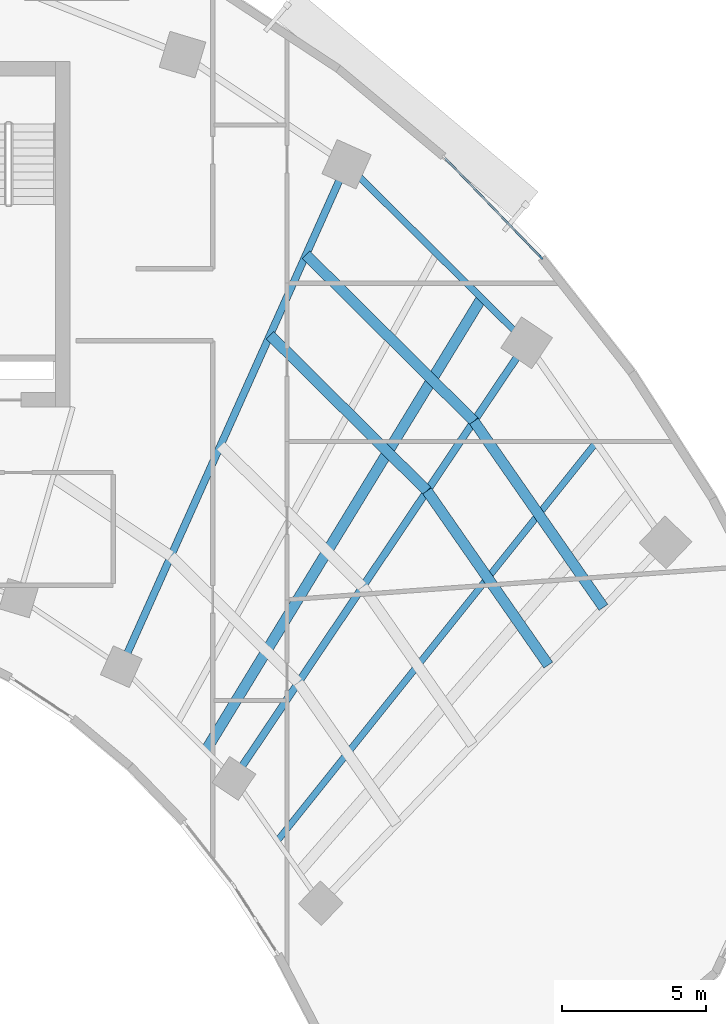
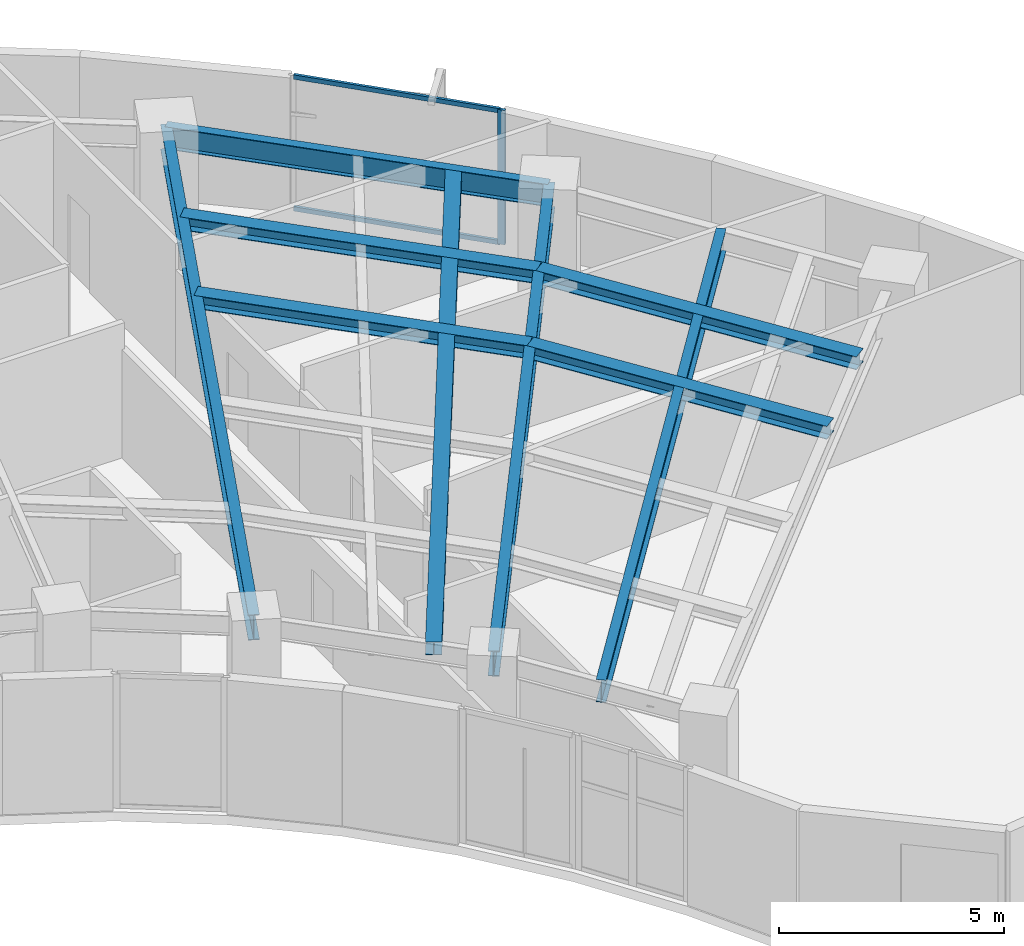
# One storey, part 4 of 14: 9 beams, 3 members, 1 element without a shape of its own.
"""IFC4 building model written with IfcOpenShell, lengths in metres."""

import ifcopenshell
import ifcopenshell.guid

model = None  # the IFC model being written
_history = None  # IfcOwnerHistory: only IFC2X3 demands one
_inside = {}  # id of a spatial element -> (the spatial element, [elements in it])
_under = {}  # id of a project, library or spatial element -> (it, [spatial elements below it])
_declared = {}  # id of a project -> (the project, [libraries it declares])
_typed = {}  # id of a type object -> (the type object, [elements of that type])
_made_of = {}  # id of a material, layer set ... -> (it, [elements and type objects made of it])


def new_model(schema):
    """Start an empty IFC model of exactly this schema.

    Asked for "IFC4X3", IfcOpenShell would pick the latest addendum, in which some entities
    have other attributes; the version numbers below select the first issue.
    IFC2X3 requires an IfcOwnerHistory on every rooted entity: one is made here for all.
    """
    global model, _history
    if schema == "IFC4X3":
        model = ifcopenshell.file(schema_version=(4, 3, 0, 0))
    else:
        model = ifcopenshell.file(schema=schema)
    _inside.clear()
    _under.clear()
    _declared.clear()
    _typed.clear()
    _made_of.clear()
    _history = None
    if model.schema == "IFC2X3":
        org = make("IfcOrganization", Name="unknown")
        user = make(
            "IfcPersonAndOrganization",
            ThePerson=make("IfcPerson", FamilyName="unknown"),
            TheOrganization=org,
        )
        app = make(
            "IfcApplication",
            ApplicationDeveloper=org,
            Version="unknown",
            ApplicationFullName="unknown",
            ApplicationIdentifier="unknown",
        )
        _history = make(
            "IfcOwnerHistory",
            OwningUser=user,
            OwningApplication=app,
            ChangeAction="ADDED",
            CreationDate=0,
        )
    return model


def make(cls, **values):
    """One entity of the class cls with the attributes given. An attribute that is None is left unset."""
    return model.create_entity(
        cls, **{name: value for name, value in values.items() if value is not None}
    )


def rooted(cls, **values):
    """An entity with a GlobalId (a new one), such as an element, a storey or a relation."""
    return make(cls, GlobalId=ifcopenshell.guid.new(), OwnerHistory=_history, **values)


def si_unit(unit_type, name, prefix=None):
    """IfcSIUnit, for example si_unit("LENGTHUNIT", "METRE", prefix="MILLI")."""
    return make("IfcSIUnit", UnitType=unit_type, Prefix=prefix, Name=name)


def assignment(units):
    """IfcUnitAssignment: the units of a project."""
    return None if units is None else make("IfcUnitAssignment", Units=units)


def point(xyz):
    """IfcCartesianPoint."""
    return None if xyz is None else make("IfcCartesianPoint", Coordinates=xyz)


def direction(xyz):
    """IfcDirection."""
    return None if xyz is None else make("IfcDirection", DirectionRatios=xyz)


def frame(location, z_axis=None, x_axis=None):
    """IfcAxis2Placement3D, a coordinate frame: its origin and axes. An axis left out is left unset."""
    return make(
        "IfcAxis2Placement3D",
        Location=point(location),
        Axis=direction(z_axis),
        RefDirection=direction(x_axis),
    )


def frame_2d(location, x_axis=None):
    """IfcAxis2Placement2D, a coordinate frame in the plane: its origin and x axis."""
    return make(
        "IfcAxis2Placement2D", Location=point(location), RefDirection=direction(x_axis)
    )


def origin():
    """The frame at (0, 0, 0) with its axes left unset."""
    return frame((0.0, 0.0, 0.0))


def origin_2d():
    """The frame at (0, 0) in the plane with its x axis left unset."""
    return frame_2d((0.0, 0.0))


def place(relative_to, where):
    """IfcLocalPlacement: puts the frame where relative to a parent placement (None: the world)."""
    return make(
        "IfcLocalPlacement", PlacementRelTo=relative_to, RelativePlacement=where
    )


def context(
    kind, dimensions, precision=None, world=None, true_north=None, identifier=None
):
    """IfcGeometricRepresentationContext, for example the 3D "Model" context."""
    return make(
        "IfcGeometricRepresentationContext",
        ContextIdentifier=identifier,
        ContextType=kind,
        CoordinateSpaceDimension=dimensions,
        Precision=precision,
        WorldCoordinateSystem=world,
        TrueNorth=true_north,
    )


def subcontext(parent, identifier, kind, view, scale=None):
    """IfcGeometricRepresentationSubContext, for example "Body" below "Model"."""
    return make(
        "IfcGeometricRepresentationSubContext",
        ContextIdentifier=identifier,
        ContextType=kind,
        ParentContext=parent,
        TargetScale=scale,
        TargetView=view,
    )


def project(units=None, contexts=None):
    """IfcProject with its units and contexts."""
    return rooted(
        "IfcProject",
        Name="project",
        RepresentationContexts=contexts,
        UnitsInContext=assignment(units),
    )


def spatial(cls, under=None, at=None, **own):
    """A site, building, storey or space (cls), placed at a placement, below another one or the project."""
    s = rooted(cls, ObjectPlacement=at, **own)
    if under is not None:
        _under.setdefault(under.id(), (under, []))[1].append(s)
    return s


def profile(cls, at=None, kind="AREA", **sizes):
    """A parametric profile (cls). Its sizes go by their IFC names, for example OverallWidth=200.0."""
    return make(cls, ProfileType=kind, Position=at, **sizes)


def rectangle(**sizes):
    """IfcRectangleProfileDef."""
    return profile("IfcRectangleProfileDef", **sizes)


def i_section(**sizes):
    """IfcIShapeProfileDef."""
    return profile("IfcIShapeProfileDef", **sizes)


def extrude(swept, where, along, depth):
    """IfcExtrudedAreaSolid: the profile swept, set in the frame where, extruded along a direction by depth."""
    return make(
        "IfcExtrudedAreaSolid",
        SweptArea=swept,
        Position=where,
        ExtrudedDirection=direction(along),
        Depth=depth,
    )


def shape(context_of_items, identifier, shape_type, items):
    """IfcShapeRepresentation: the items that make up one representation, for example the "Body"."""
    return make(
        "IfcShapeRepresentation",
        ContextOfItems=context_of_items,
        RepresentationIdentifier=identifier,
        RepresentationType=shape_type,
        Items=items,
    )


def source(mapping_origin, context_of_items, identifier, shape_type, items):
    """IfcRepresentationMap: a shape defined once, which mapped items show again and again."""
    return make(
        "IfcRepresentationMap",
        MappingOrigin=mapping_origin,
        MappedRepresentation=shape(context_of_items, identifier, shape_type, items),
    )


def transform(
    local_origin,
    x_axis=None,
    y_axis=None,
    z_axis=None,
    scale=None,
    scale2=None,
    scale3=None,
    uniform=True,
):
    """IfcCartesianTransformationOperator3D, or its non-uniform kind. x_axis, y_axis, z_axis: its Axis1, 2, 3."""
    if uniform:
        return make(
            "IfcCartesianTransformationOperator3D",
            Axis1=direction(x_axis),
            Axis2=direction(y_axis),
            LocalOrigin=point(local_origin),
            Scale=scale,
            Axis3=direction(z_axis),
        )
    return make(
        "IfcCartesianTransformationOperator3DnonUniform",
        Axis1=direction(x_axis),
        Axis2=direction(y_axis),
        LocalOrigin=point(local_origin),
        Scale=scale,
        Axis3=direction(z_axis),
        Scale2=scale2,
        Scale3=scale3,
    )


def mapped(mapping_source, mapping_target):
    """IfcMappedItem: shows the shape of a source again, moved by a transform."""
    return make(
        "IfcMappedItem", MappingSource=mapping_source, MappingTarget=mapping_target
    )


def material(Name=None, Category=None):
    """IfcMaterial."""
    return make("IfcMaterial", Name=Name, Category=Category)


def layer(
    of_material, thickness, ventilated=None, Name=None, Category=None, Priority=None
):
    """IfcMaterialLayer: one layer of a wall or slab, of a material (None: an air gap)."""
    return make(
        "IfcMaterialLayer",
        Material=of_material,
        LayerThickness=thickness,
        IsVentilated=ventilated,
        Name=Name,
        Category=Category,
        Priority=Priority,
    )


def layer_set(layers, Name=None):
    """IfcMaterialLayerSet."""
    return make("IfcMaterialLayerSet", MaterialLayers=layers, LayerSetName=Name)


def material_profile(
    of_material, cross_section, Name=None, Category=None, Priority=None
):
    """IfcMaterialProfile: a cross section and its material."""
    return make(
        "IfcMaterialProfile",
        Name=Name,
        Material=of_material,
        Profile=cross_section,
        Priority=Priority,
        Category=Category,
    )


def profile_set(profiles, Name=None, composite=None):
    """IfcMaterialProfileSet."""
    return make(
        "IfcMaterialProfileSet",
        Name=Name,
        MaterialProfiles=profiles,
        CompositeProfile=composite,
    )


def made_of(thing, what):
    """Note that an element or type object is made of a material, layer set ...; save() writes the relation."""
    if what is not None:
        _made_of.setdefault(what.id(), (what, []))[1].append(thing)
    return thing


def type_object(cls, material=None, **own):
    """A type object (cls), such as IfcWallType, which elements share."""
    return made_of(rooted(cls, **own), material)


def element(
    cls,
    number,
    at=None,
    inside=None,
    cuts=None,
    type_object=None,
    material=None,
    context=None,
    identifier="Body",
    shape_type=None,
    held_by="IfcProductDefinitionShape",
    body=None,
    shapes=None,
    **own,
):
    """One element of the class cls, such as IfcWall. Its Tag is "e" and its number.

    at: its placement. inside: the storey or other place that contains it. cuts: it is an
    opening in that element (IfcRelVoidsElement). A single representation is given by context,
    identifier, shape_type and body (its items); several are given by shapes. held_by: the class
    of the entity that holds the representations. save() writes the other relations.
    """
    e = rooted(cls, Tag="e%d" % number, ObjectPlacement=at, **own)
    if body is not None:
        shapes = [shape(context, identifier, shape_type, body)]
    if shapes is not None:
        e.Representation = make(held_by, Representations=shapes)
    if inside is not None:
        _inside.setdefault(inside.id(), (inside, []))[1].append(e)
    if cuts is not None:
        rooted(
            "IfcRelVoidsElement", RelatingBuildingElement=cuts, RelatedOpeningElement=e
        )
    if type_object is not None:
        _typed.setdefault(type_object.id(), (type_object, []))[1].append(e)
    return made_of(e, material)


def aggregate(whole, parts):
    """IfcRelAggregates: a whole, such as a stair, and the parts it consists of."""
    return rooted("IfcRelAggregates", RelatingObject=whole, RelatedObjects=parts)


def save(model, path):
    """Write the relations noted so far, then the file.

    IfcRelAggregates (storeys below a building ...), IfcRelContainedInSpatialStructure (elements
    in a storey), IfcRelDefinesByType, IfcRelAssociatesMaterial and IfcRelDeclares: one each for
    every whole, place, type object, material and project.
    """
    for whole, parts in _under.values():
        aggregate(whole, parts)
    for where, things in _inside.values():
        rooted(
            "IfcRelContainedInSpatialStructure",
            RelatedElements=things,
            RelatingStructure=where,
        )
    for kind, things in _typed.values():
        rooted("IfcRelDefinesByType", RelatedObjects=things, RelatingType=kind)
    for what, things in _made_of.values():
        rooted("IfcRelAssociatesMaterial", RelatedObjects=things, RelatingMaterial=what)
    for by, libraries in _declared.values():
        rooted("IfcRelDeclares", RelatingContext=by, RelatedDefinitions=libraries)
    model.write(path)


model = new_model("IFC4")

# Units and contexts
model_context = context("Model", 3, precision=1e-05, world=origin(), true_north=direction((0.0, 1.0)))
body_context = subcontext(model_context, "Body", "Model", "MODEL_VIEW")
ifc_project = project(units=[si_unit("LENGTHUNIT", "METRE"), si_unit("AREAUNIT", "SQUARE_METRE"), si_unit("VOLUMEUNIT", "CUBIC_METRE"), si_unit("PLANEANGLEUNIT", "RADIAN"), si_unit("MASSUNIT", "GRAM", prefix="KILO")], contexts=[model_context])

# Site, building, storey
site_placement = place(None, origin())
site = spatial("IfcSite", under=ifc_project, at=site_placement, CompositionType="ELEMENT")
building_placement = place(site_placement, origin())
building = spatial("IfcBuilding", under=site, at=building_placement, Name="Breltana Convention Tower", CompositionType="ELEMENT")
storey_placement = place(building_placement, frame((0.0, 0.0, 103.800048828125)))
storey = spatial("IfcBuildingStorey", under=building, at=storey_placement, Name="L24", CompositionType="ELEMENT", Elevation=103.800048828125)

# Beams
ifc_material_1 = material(Name="Steel ASTM A992 Grade 50", Category="steel")
ifc_material_profile_1 = material_profile(ifc_material_1, i_section(OverallWidth=0.25390625, OverallDepth=0.68798828125, WebThickness=0.01318359375, FlangeThickness=0.02099609375, at=origin_2d()), Name="W27X102")
ifc_profile_set_1 = profile_set([ifc_material_profile_1], Name="Steel ASTM A992 Grade 50")
beam_type_1 = type_object("IfcBeamType", Name="BM-RG-W27X102", PredefinedType="USERDEFINED", material=ifc_profile_set_1)
shared_shape_1 = source(origin(), body_context, "Body", "SweptSolid", [
    extrude(i_section(OverallWidth=0.25390625, OverallDepth=0.68798828125, WebThickness=0.01318359375, FlangeThickness=0.02099609375, at=origin_2d()), origin(), (0.0, 0.0, 1.0), 19.133544921875),
])
beam_1_placement = place(storey_placement, frame((61.08203125, 51.174560546875, 3.305908203125), z_axis=(0.409144564164, 0.912469575172, 0.0), x_axis=(-0.912469575172, 0.409144564164, 0.0)))
element("IfcBeam", 1, at=beam_1_placement, inside=storey, type_object=beam_type_1, Name="L24 Radial Floor Girder R09", ObjectType="GIRDER", PredefinedType="USERDEFINED", context=body_context, shape_type="MappedRepresentation", body=[
    mapped(shared_shape_1, transform((0.0, 0.0, 0.0), scale=1.0)),
])
shared_shape_2 = source(origin(), body_context, "Body", "SweptSolid", [
    extrude(i_section(OverallWidth=0.25390625, OverallDepth=0.68798828125, WebThickness=0.01318359375, FlangeThickness=0.02099609375, at=origin_2d()), origin(), (0.0, 0.0, 1.0), 18.236328125),
])
beam_2_placement = place(storey_placement, frame((64.995849609375, 47.293701171875, 3.305908203125), z_axis=(0.557730360975, 0.830022195153, 0.0), x_axis=(-0.830022195153, 0.557730360975, 0.0)))
element("IfcBeam", 2, at=beam_2_placement, inside=storey, type_object=beam_type_1, Name="L24 Radial Floor Girder R10", ObjectType="GIRDER", PredefinedType="USERDEFINED", context=body_context, shape_type="MappedRepresentation", body=[
    mapped(shared_shape_2, transform((0.0, 0.0, 0.0), scale=1.0)),
])
ifc_material_profile_2 = material_profile(ifc_material_1, i_section(OverallWidth=0.22802734375, OverallDepth=0.60791015625, WebThickness=0.01123046875, FlangeThickness=0.017333984375, at=origin_2d()), Name="W24X76")
ifc_profile_set_2 = profile_set([ifc_material_profile_2], Name="Steel ASTM A992 Grade 50")
beam_type_2 = type_object("IfcBeamType", Name="BM-SP-W24X76", PredefinedType="SPANDREL", material=ifc_profile_set_2)
shared_shape_3 = source(origin(), body_context, "Body", "SweptSolid", [
    extrude(i_section(OverallWidth=0.22802734375, OverallDepth=0.60791015625, WebThickness=0.01123046875, FlangeThickness=0.017333984375, at=origin_2d()), origin(), (0.0, 0.0, 1.0), 8.810302734375),
])
beam_3_placement = place(storey_placement, frame((68.910400390625, 68.63330078125, 3.345947265625), z_axis=(0.710120823582, -0.704079836322, 0.0), x_axis=(0.704079836322, 0.710120823582, 0.0)))
element("IfcBeam", 3, at=beam_3_placement, inside=storey, type_object=beam_type_2, Name="L24 Outer Spandrel Beam 09", PredefinedType="SPANDREL", context=body_context, shape_type="MappedRepresentation", body=[
    mapped(shared_shape_3, transform((0.0, 0.0, 0.0), scale=1.0)),
])
ifc_material_profile_3 = material_profile(ifc_material_1, i_section(OverallWidth=0.368896484375, OverallDepth=0.35595703125, WebThickness=0.01123046875, FlangeThickness=0.01806640625, at=origin_2d()), Name="W14X90")
ifc_profile_set_3 = profile_set([ifc_material_profile_3], Name="Steel ASTM A992 Grade 50")
beam_type_3 = type_object("IfcBeamType", Name="BM-JSG-09", PredefinedType="JOIST", material=ifc_profile_set_3)
shared_shape_4 = source(origin(), body_context, "Body", "SweptSolid", [
    extrude(i_section(OverallWidth=0.368896484375, OverallDepth=0.35595703125, WebThickness=0.01123046875, FlangeThickness=0.01806640625, at=origin_2d()), origin(), (0.0, 0.0, 1.0), 7.688720703125),
])
beam_4_placement = place(storey_placement, frame((66.248779296875, 62.697265625, 3.471923828125), z_axis=(0.710101109809, -0.704099718682, 0.0), x_axis=(0.704099718682, 0.710101109809, 0.0)))
element("IfcBeam", 4, at=beam_4_placement, inside=storey, type_object=beam_type_3, Name="L24 Composite Floor Joist 09.3", PredefinedType="JOIST", context=body_context, shape_type="MappedRepresentation", body=[
    mapped(shared_shape_4, transform((0.0, 0.0, 0.0), scale=1.0)),
])
shared_shape_5 = source(origin(), body_context, "Body", "SweptSolid", [
    extrude(i_section(OverallWidth=0.368896484375, OverallDepth=0.35595703125, WebThickness=0.01123046875, FlangeThickness=0.01806640625, at=origin_2d()), origin(), (0.0, 0.0, 1.0), 8.21630859375),
])
beam_5_placement = place(storey_placement, frame((67.50146484375, 65.49072265625, 3.471923828125), z_axis=(0.710101511063, -0.704099314008, 0.0), x_axis=(0.704099314008, 0.710101511063, 0.0)))
element("IfcBeam", 5, at=beam_5_placement, inside=storey, type_object=beam_type_3, Name="L24 Composite Floor Joist 09.4", PredefinedType="JOIST", context=body_context, shape_type="MappedRepresentation", body=[
    mapped(shared_shape_5, transform((0.0, 0.0, 0.0), scale=1.0)),
])
shared_shape_6 = source(origin(), body_context, "Body", "SweptSolid", [
    extrude(i_section(OverallWidth=0.368896484375, OverallDepth=0.35595703125, WebThickness=0.01123046875, FlangeThickness=0.01806640625, at=origin_2d()), origin(), (0.0, 0.0, 1.0), 18.409423828125),
])
beam_6_placement = place(storey_placement, frame((64.017333984375, 48.263916015625, 3.471923828125), z_axis=(0.520682167606, 0.853750596098, 0.0), x_axis=(-0.853750596098, 0.520682167606, 0.0)))
element("IfcBeam", 6, at=beam_6_placement, inside=storey, type_object=beam_type_3, Name="L24 Quarter-Bay Radial Trimmer 09", PredefinedType="JOIST", context=body_context, shape_type="MappedRepresentation", body=[
    mapped(shared_shape_6, transform((0.0, 0.0, 0.0), scale=1.0)),
])
shared_shape_7 = source(origin(), body_context, "Body", "SweptSolid", [
    extrude(i_section(OverallWidth=0.368896484375, OverallDepth=0.35595703125, WebThickness=0.01123046875, FlangeThickness=0.01806640625, at=origin_2d()), origin(), (0.0, 0.0, 1.0), 7.374267578125),
])
beam_7_placement = place(storey_placement, frame((71.70849609375, 57.28369140625, 3.471923828125), z_axis=(0.571229379406, -0.820790470281, 0.0), x_axis=(0.820790470281, 0.571229379406, 0.0)))
element("IfcBeam", 7, at=beam_7_placement, inside=storey, type_object=beam_type_3, Name="L24 Composite Floor Joist 10.3", PredefinedType="JOIST", context=body_context, shape_type="MappedRepresentation", body=[
    mapped(shared_shape_7, transform((0.0, 0.0, 0.0), scale=1.0)),
])
shared_shape_8 = source(origin(), body_context, "Body", "SweptSolid", [
    extrude(i_section(OverallWidth=0.368896484375, OverallDepth=0.35595703125, WebThickness=0.01123046875, FlangeThickness=0.01806640625, at=origin_2d()), origin(), (0.0, 0.0, 1.0), 7.88037109375),
])
beam_8_placement = place(storey_placement, frame((73.3359375, 59.70556640625, 3.471923828125), z_axis=(0.571197916304, -0.820812366141, 0.0), x_axis=(0.820812366141, 0.571197916304, 0.0)))
element("IfcBeam", 8, at=beam_8_placement, inside=storey, type_object=beam_type_3, Name="L24 Composite Floor Joist 10.4", PredefinedType="JOIST", context=body_context, shape_type="MappedRepresentation", body=[
    mapped(shared_shape_8, transform((0.0, 0.0, 0.0), scale=1.0)),
])
ifc_material_profile_4 = material_profile(ifc_material_1, i_section(OverallWidth=0.22802734375, OverallDepth=0.60791015625, WebThickness=0.01123046875, FlangeThickness=0.017333984375, at=origin_2d()), Name="W24X76")
ifc_profile_set_4 = profile_set([ifc_material_profile_4], Name="Steel ASTM A992 Grade 50")
beam_type_4 = type_object("IfcBeamType", Name="BM-JSG-02", PredefinedType="JOIST", material=ifc_profile_set_4)
shared_shape_9 = source(origin(), body_context, "Body", "SweptSolid", [
    extrude(i_section(OverallWidth=0.22802734375, OverallDepth=0.60791015625, WebThickness=0.01123046875, FlangeThickness=0.017333984375, at=origin_2d()), origin(), (0.0, 0.0, 1.0), 17.7236328125),
])
beam_9_placement = place(storey_placement, frame((66.505615234375, 45.124267578125, 3.345947265625), z_axis=(0.624829427563, 0.78076128647, 0.0), x_axis=(-0.78076128647, 0.624829427563, 0.0)))
element("IfcBeam", 9, at=beam_9_placement, inside=storey, type_object=beam_type_4, Name="L24 Mid-Bay Radial Trimmer 10", PredefinedType="JOIST", context=body_context, shape_type="MappedRepresentation", body=[
    mapped(shared_shape_9, transform((0.0, 0.0, 0.0), scale=1.0)),
])

# Curtain wall, members
ifc_material_2 = material(Name="Aluminium Anodised Bronze Frame", Category="aluminium")
ifc_layer = layer(ifc_material_2, 0.22998046875, Name="Aluminium Anodised Bronze Frame")
ifc_layer_set = layer_set([ifc_layer], Name="Aluminium Anodised Bronze Frame")
curtain_wall_type = type_object("IfcCurtainWallType", Name="CW-SYS-5", PredefinedType="NOTDEFINED", material=ifc_layer_set)
curtain_wall_placement = place(storey_placement, origin())
curtain_wall = element("IfcCurtainWall", 10, at=curtain_wall_placement, inside=storey, type_object=curtain_wall_type, Name="L24 outer double-skin inner glazing 4", PredefinedType="NOTDEFINED")
ifc_material_3 = material(Name="Aluminium Anodised Bronze", Category="aluminium")
ifc_material_profile_5 = material_profile(ifc_material_3, rectangle(XDim=0.070068359375, YDim=0.175048828125, at=origin_2d()), Name="CWM-70X175")
ifc_profile_set_5 = profile_set([ifc_material_profile_5], Name="Aluminium Anodised Bronze")
member_type_1 = type_object("IfcMemberType", Name="CWM-175", PredefinedType="MULLION", material=ifc_profile_set_5)
shared_shape_10 = source(origin(), body_context, "Body", "SweptSolid", [
    extrude(rectangle(XDim=0.070068359375, YDim=0.175048828125, at=origin_2d()), origin(), (0.0, 0.0, 1.0), 3.64990234375),
])
member_1_placement = place(storey_placement, frame((75.660400390625, 65.401611328125, 0.0), z_axis=(0.0, 0.0, 1.0), x_axis=(0.719384961558, 0.694611601605, 0.0)))
member_1 = element("IfcMember", 11, at=member_1_placement, type_object=member_type_1, Name="CW-05 mullion 2", PredefinedType="MULLION", context=body_context, shape_type="MappedRepresentation", body=[
    mapped(shared_shape_10, transform((0.0, 0.0, 0.0), scale=1.0)),
])
ifc_material_profile_6 = material_profile(ifc_material_3, rectangle(XDim=0.070068359375, YDim=0.1201171875, at=origin_2d()), Name="CWT-70X120")
ifc_profile_set_6 = profile_set([ifc_material_profile_6], Name="Aluminium Anodised Bronze")
member_type_2 = type_object("IfcMemberType", Name="CWT-120", PredefinedType="USERDEFINED", material=ifc_profile_set_6)
shared_shape_11 = source(origin(), body_context, "Body", "SweptSolid", [
    extrude(rectangle(XDim=0.070068359375, YDim=0.1201171875, at=origin_2d()), origin(), (0.0, 0.0, 1.0), 4.7685546875),
])
member_2_placement = place(storey_placement, frame((72.323974609375, 68.857177734375, 0.034912109375), z_axis=(0.694608218982, -0.719388227679, 0.0), x_axis=(0.719388227679, 0.694608218982, 0.0)))
member_2 = element("IfcMember", 12, at=member_2_placement, type_object=member_type_2, Name="CW-05 transom 1.1", ObjectType="TRANSOM", PredefinedType="USERDEFINED", context=body_context, shape_type="MappedRepresentation", body=[
    mapped(shared_shape_11, transform((0.0, 0.0, 0.0), scale=1.0)),
])
member_3_placement = place(storey_placement, frame((72.323974609375, 68.857177734375, 3.614990234375), z_axis=(0.694608218982, -0.719388227679, 0.0), x_axis=(0.719388227679, 0.694608218982, 0.0)))
member_3 = element("IfcMember", 13, at=member_3_placement, type_object=member_type_2, Name="CW-05 transom 1.2", ObjectType="TRANSOM", PredefinedType="USERDEFINED", context=body_context, shape_type="MappedRepresentation", body=[
    mapped(shared_shape_11, transform((0.0, 0.0, 0.0), scale=1.0)),
])
aggregate(curtain_wall, [member_1, member_2, member_3])

save(model, "model.ifc")
